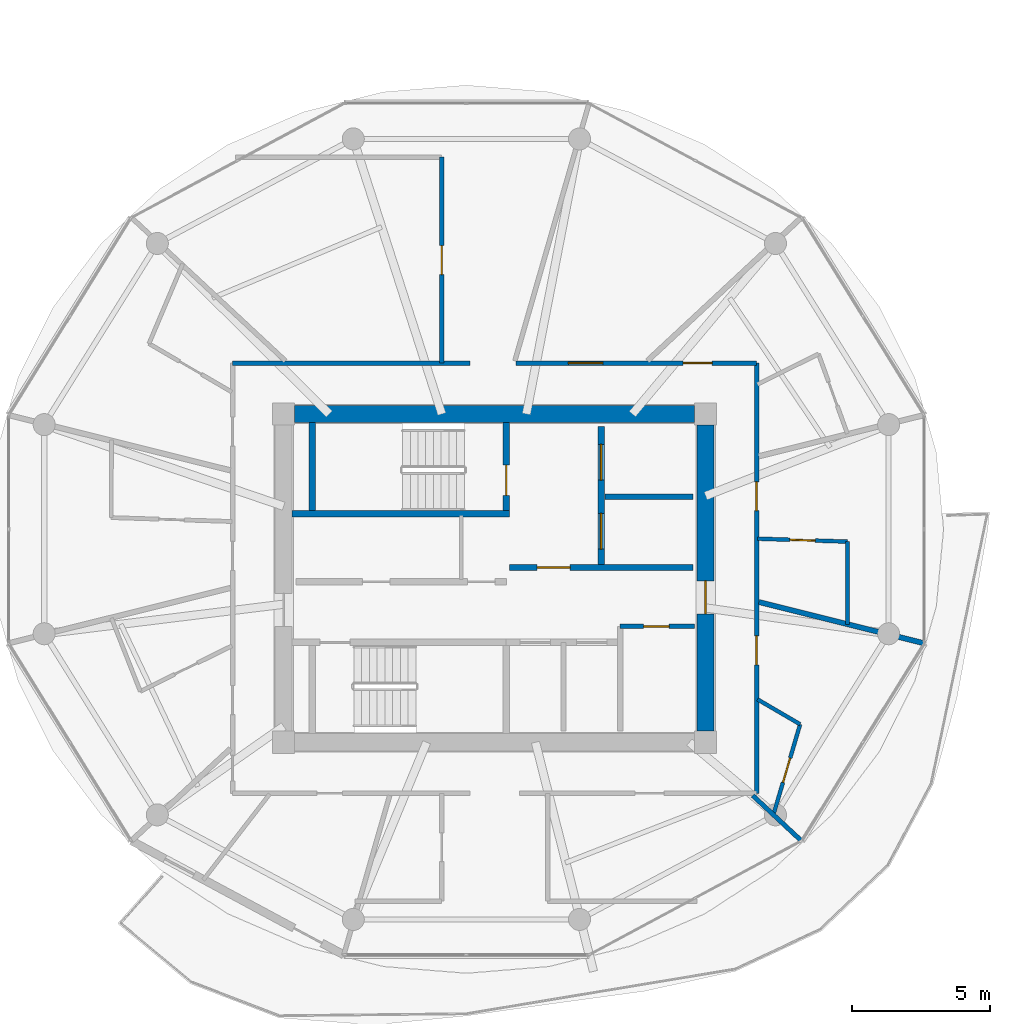
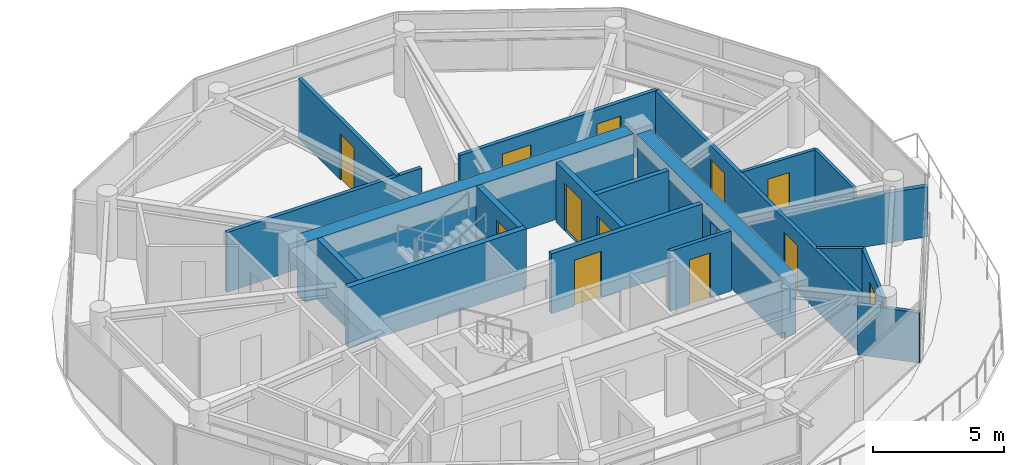
# One storey, part 17 of 24: 19 walls, 13 doors, 13 openings.
"""IFC4 building model written with IfcOpenShell, lengths in metres."""

from ifc_helpers import new_model, si_unit, direction, frame, frame_2d, origin, place, context, subcontext, project, spatial, rectangle, extrude, source, transform, mapped, material, layer, layer_set, type_object, type_shapes, element, fill, save


model = new_model("IFC4")

# Units and contexts
model_context = context("Model", 3, precision=1e-05, world=origin(), true_north=direction((0.0, 1.0)))
body_context = subcontext(model_context, "Body", "Model", "MODEL_VIEW")
ifc_project = project(units=[si_unit("LENGTHUNIT", "METRE"), si_unit("AREAUNIT", "SQUARE_METRE"), si_unit("VOLUMEUNIT", "CUBIC_METRE"), si_unit("PLANEANGLEUNIT", "RADIAN"), si_unit("MASSUNIT", "GRAM", prefix="KILO")], contexts=[model_context])

# Site, building, storey
site_placement = place(None, origin())
site = spatial("IfcSite", under=ifc_project, at=site_placement, CompositionType="ELEMENT")
building_placement = place(site_placement, origin())
building = spatial("IfcBuilding", under=site, at=building_placement, Name="Norrkilde Senior Care Towers", CompositionType="ELEMENT")
storey_placement = place(building_placement, frame((0.0, 0.0, 155.64990234375)))
storey = spatial("IfcBuildingStorey", under=building, at=storey_placement, Name="L48", CompositionType="ELEMENT", Elevation=155.64990234375)

# Wall
ifc_material_1 = material(Name="Concrete C50/60", Category="concrete")
ifc_layer_1 = layer(ifc_material_1, 0.6201171875)
ifc_layer_set_1 = layer_set([ifc_layer_1], Name="Concrete C50/60")
wall_type_1 = type_object("IfcWallType", Name="Core Shear Wall Z3 620", PredefinedType="SHEAR", material=ifc_layer_set_1)
shared_shape_1 = source(origin(), body_context, "Body", "SweptSolid", [
    extrude(rectangle(XDim=14.5, YDim=0.6201171875, at=frame_2d((7.25, 0.0))), origin(), (0.0, 0.0, 1.0), 2.81005859375),
])
wall_1_placement = place(storey_placement, frame((20.75, 5.949951171875, 0.0), z_axis=(0.0, 0.0, 1.0), x_axis=(1.0, 0.0, 0.0)))
element("IfcWall", 1, at=wall_1_placement, inside=storey, type_object=wall_type_1, Name="L48 Core E North Shear Wall", PredefinedType="SHEAR", context=body_context, shape_type="MappedRepresentation", body=[
    mapped(shared_shape_1, transform((0.0, 0.0, 0.0), x_axis=(1.0, 0.0, 0.0), y_axis=(0.0, 1.0, 0.0), z_axis=(0.0, 0.0, 1.0), scale=1.0)),
])

# Wall, opening, door
shared_shape_2 = source(origin(), body_context, "Body", "SweptSolid", [
    extrude(rectangle(XDim=11.10009765625, YDim=0.6201171875, at=frame_2d((5.550048828125, 0.0))), origin(), (0.0, 0.0, 1.0), 2.81005859375),
])
type_shapes(wall_type_1, [shared_shape_1, shared_shape_2])
wall_2_placement = place(storey_placement, frame((35.64990234375, 5.550048828125, 0.0), z_axis=(0.0, 0.0, 1.0), x_axis=(0.0, -1.0, 0.0)))
wall_2 = element("IfcWall", 2, at=wall_2_placement, inside=storey, type_object=wall_type_1, Name="L48 Core E East Shear Wall", PredefinedType="SHEAR", context=body_context, shape_type="MappedRepresentation", body=[
    mapped(shared_shape_2, transform((0.0, 0.0, 0.0), x_axis=(1.0, 0.0, 0.0), y_axis=(0.0, 1.0, 0.0), z_axis=(0.0, 0.0, 1.0), scale=1.0)),
])
opening_1_placement = place(wall_2_placement, frame((5.64990234375, 0.0, 0.0)))
opening_1 = element("IfcOpeningElement", 3, at=opening_1_placement, cuts=wall_2, Name="Opening D-04", PredefinedType="OPENING", context=body_context, shape_type="SweptSolid", body=[
    extrude(rectangle(XDim=1.199951171875, YDim=2.14990234375, at=frame_2d((0.60009765625, 1.074951171875))), frame((0.0, 0.320068359375, 0.0), z_axis=(0.0, -1.0, 0.0), x_axis=(1.0, 0.0, 0.0)), (0.0, 0.0, 1.0), 0.64013671875),
])
ifc_material_2 = material(Name="Galvanised Painted Steel", Category="steel")
door_type_1 = type_object("IfcDoorType", Name="Firefighting Lobby Fire Door 1200x2150", OperationType="NOTDEFINED", PredefinedType="DOOR", material=ifc_material_2)
shared_shape_3 = source(origin(), body_context, "Body", "SweptSolid", [
    extrude(rectangle(XDim=1.199951171875, YDim=2.14990234375, at=frame_2d((0.60009765625, 1.074951171875))), frame((0.0, 0.02490234375, 0.0), z_axis=(0.0, -1.0, 0.0), x_axis=(1.0, 0.0, 0.0)), (0.0, 0.0, 1.0), 0.050048828125),
])
type_shapes(door_type_1, [shared_shape_3])
door_1_placement = place(opening_1_placement, frame((1.199951171875, 0.0, 0.0), z_axis=(0.0, 0.0, 1.0), x_axis=(-1.0, 0.0, 0.0)))
door_1 = element("IfcDoor", 4, at=door_1_placement, inside=storey, type_object=door_type_1, Name="L48 Core E East Portal Door", OperationType="SINGLE_SWING_RIGHT", OverallHeight=2.14990234375, OverallWidth=1.199951171875, PredefinedType="DOOR", context=body_context, shape_type="MappedRepresentation", body=[
    mapped(shared_shape_3, transform((0.0, 0.0, 0.0), x_axis=(1.0, 0.0, 0.0), y_axis=(0.0, 1.0, 0.0), z_axis=(0.0, 0.0, 1.0), scale=1.0)),
])
fill(opening_1, door_1)

# Walls
ifc_material_3 = material(Name="Concrete C45/55", Category="concrete")
ifc_layer_2 = layer(ifc_material_3, 0.239990234375)
ifc_layer_set_2 = layer_set([ifc_layer_2], Name="Concrete C45/55")
wall_type_2 = type_object("IfcWallType", Name="Shaft and Stair Enclosure Wall 240", PredefinedType="PARTITIONING", material=ifc_layer_set_2)
shared_shape_4 = source(origin(), body_context, "Body", "SweptSolid", [
    extrude(rectangle(XDim=7.880126953125, YDim=0.239990234375, at=frame_2d((3.93994140625, 0.0))), origin(), (0.0, 0.0, 1.0), 2.81005859375),
])
wall_3_placement = place(storey_placement, frame((20.659912109375, 2.330078125, 0.0), z_axis=(0.0, 0.0, 1.0), x_axis=(1.0, 0.0, 0.0)))
element("IfcWall", 5, at=wall_3_placement, inside=storey, type_object=wall_type_2, Name="WL-INT-L48-E-ST1S", PredefinedType="PARTITIONING", context=body_context, shape_type="MappedRepresentation", body=[
    mapped(shared_shape_4, transform((0.0, 0.0, 0.0), x_axis=(1.0, 0.0, 0.0), y_axis=(0.0, 1.0, 0.0), z_axis=(0.0, 0.0, 1.0), scale=1.0)),
])
shared_shape_5 = source(origin(), body_context, "Body", "SweptSolid", [
    extrude(rectangle(XDim=3.18994140625, YDim=0.239990234375, at=frame_2d((1.594970703125, 0.0))), origin(), (0.0, 0.0, 1.0), 2.81005859375),
])
type_shapes(wall_type_2, [shared_shape_4, shared_shape_5])
wall_4_placement = place(storey_placement, frame((21.3798828125, 2.449951171875, 0.0), z_axis=(0.0, 0.0, 1.0), x_axis=(0.0, 1.0, 0.0)))
element("IfcWall", 6, at=wall_4_placement, inside=storey, type_object=wall_type_2, Name="WL-INT-L48-E-ST1W", PredefinedType="PARTITIONING", context=body_context, shape_type="MappedRepresentation", body=[
    mapped(shared_shape_5, transform((0.0, 0.0, 0.0), x_axis=(1.0, 0.0, 0.0), y_axis=(0.0, 1.0, 0.0), z_axis=(0.0, 0.0, 1.0), scale=1.0)),
])

# Wall, opening, door
wall_5_placement = place(storey_placement, frame((28.419921875, 2.449951171875, 0.0), z_axis=(0.0, 0.0, 1.0), x_axis=(0.0, 1.0, 0.0)))
wall_5 = element("IfcWall", 7, at=wall_5_placement, inside=storey, type_object=wall_type_2, Name="WL-INT-L48-E-ST1E", PredefinedType="PARTITIONING", context=body_context, shape_type="MappedRepresentation", body=[
    mapped(shared_shape_5, transform((0.0, 0.0, 0.0), x_axis=(1.0, 0.0, 0.0), y_axis=(0.0, 1.0, 0.0), z_axis=(0.0, 0.0, 1.0), scale=1.0)),
])
opening_2_placement = place(wall_5_placement, frame((0.550048828125, 0.0, 0.0)))
opening_2 = element("IfcOpeningElement", 8, at=opening_2_placement, cuts=wall_5, Name="Opening D-03", PredefinedType="OPENING", context=body_context, shape_type="SweptSolid", body=[
    extrude(rectangle(XDim=1.10009765625, YDim=2.14990234375, at=frame_2d((0.550048828125, 1.074951171875))), frame((0.0, 0.1298828125, 0.0), z_axis=(0.0, -1.0, 0.0), x_axis=(1.0, 0.0, 0.0)), (0.0, 0.0, 1.0), 0.260009765625),
])
door_type_2 = type_object("IfcDoorType", Name="Stairwell Protected Fire Door 1100x2150", OperationType="NOTDEFINED", PredefinedType="DOOR", material=ifc_material_2)
shared_shape_6 = source(origin(), body_context, "Body", "SweptSolid", [
    extrude(rectangle(XDim=1.10009765625, YDim=2.14990234375, at=frame_2d((0.550048828125, 1.074951171875))), frame((0.0, 0.02490234375, 0.0), z_axis=(0.0, -1.0, 0.0), x_axis=(1.0, 0.0, 0.0)), (0.0, 0.0, 1.0), 0.050048828125),
])
type_shapes(door_type_2, [shared_shape_6])
door_2_placement = place(opening_2_placement, origin())
door_2 = element("IfcDoor", 9, at=door_2_placement, inside=storey, type_object=door_type_2, Name="L48 Stair E1 Fire Door", OperationType="SINGLE_SWING_LEFT", OverallHeight=2.14990234375, OverallWidth=1.10009765625, PredefinedType="DOOR", context=body_context, shape_type="MappedRepresentation", body=[
    mapped(shared_shape_6, transform((0.0, 0.0, 0.0), x_axis=(1.0, 0.0, 0.0), y_axis=(0.0, 1.0, 0.0), z_axis=(0.0, 0.0, 1.0), scale=1.0)),
])
fill(opening_2, door_2)

# Wall, openings, doors
ifc_layer_3 = layer(ifc_material_3, 0.239990234375)
ifc_layer_set_3 = layer_set([ifc_layer_3], Name="Concrete C45/55")
wall_type_3 = type_object("IfcWallType", Name="Lift and Plant Rated Enclosure Partition 240", PredefinedType="PARTITIONING", material=ifc_layer_set_3)
shared_shape_7 = source(origin(), body_context, "Body", "SweptSolid", [
    extrude(rectangle(XDim=5.0, YDim=0.239990234375, at=frame_2d((2.5, 0.0))), origin(), (0.0, 0.0, 1.0), 2.795166015625),
])
type_shapes(wall_type_3, [shared_shape_7])
wall_6_placement = place(storey_placement, frame((31.860107421875, 0.5, 0.0), z_axis=(0.0, 0.0, 1.0), x_axis=(0.0, 1.0, 0.0)))
wall_6 = element("IfcWall", 10, at=wall_6_placement, inside=storey, type_object=wall_type_3, Name="WL-INT-L48-E-FFLE", PredefinedType="PARTITIONING", context=body_context, shape_type="MappedRepresentation", body=[
    mapped(shared_shape_7, transform((0.0, 0.0, 0.0), x_axis=(1.0, 0.0, 0.0), y_axis=(0.0, 1.0, 0.0), z_axis=(0.0, 0.0, 1.0), scale=1.0)),
])
opening_3_placement = place(wall_6_placement, frame((3.050048828125, 0.0, 0.0)))
opening_3 = element("IfcOpeningElement", 11, at=opening_3_placement, cuts=wall_6, Name="Opening LD-02", PredefinedType="OPENING", context=body_context, shape_type="SweptSolid", body=[
    extrude(rectangle(XDim=1.300048828125, YDim=2.199951171875, at=frame_2d((0.64990234375, 1.10009765625))), frame((0.0, 0.1298828125, 0.0), z_axis=(0.0, -1.0, 0.0), x_axis=(1.0, 0.0, 0.0)), (0.0, 0.0, 1.0), 0.260009765625),
])
opening_4_placement = place(wall_6_placement, frame((0.550048828125, 0.0, 0.0)))
opening_4 = element("IfcOpeningElement", 12, at=opening_4_placement, cuts=wall_6, Name="Opening LD-02", PredefinedType="OPENING", context=body_context, shape_type="SweptSolid", body=[
    extrude(rectangle(XDim=1.300048828125, YDim=2.199951171875, at=frame_2d((0.64990234375, 1.10009765625))), frame((0.0, 0.1298828125, 0.0), z_axis=(0.0, -1.0, 0.0), x_axis=(1.0, 0.0, 0.0)), (0.0, 0.0, 1.0), 0.260009765625),
])
ifc_material_4 = material(Name="Stainless Steel", Category="steel")
door_type_3 = type_object("IfcDoorType", Name="Stretcher and FFL Landing Sliding Door 1300x2200", OperationType="NOTDEFINED", PredefinedType="DOOR", material=ifc_material_4)
shared_shape_8 = source(origin(), body_context, "Body", "SweptSolid", [
    extrude(rectangle(XDim=1.300048828125, YDim=2.199951171875, at=frame_2d((0.64990234375, 1.10009765625))), frame((0.0, 0.02490234375, 0.0), z_axis=(0.0, -1.0, 0.0), x_axis=(1.0, 0.0, 0.0)), (0.0, 0.0, 1.0), 0.050048828125),
])
type_shapes(door_type_3, [shared_shape_8])
door_3_placement = place(opening_3_placement, origin())
door_3 = element("IfcDoor", 13, at=door_3_placement, inside=storey, type_object=door_type_3, Name="L48 Firefighting Lift E1 Landing Door", OperationType="SLIDING_TO_LEFT", OverallHeight=2.199951171875, OverallWidth=1.300048828125, PredefinedType="DOOR", context=body_context, shape_type="MappedRepresentation", body=[
    mapped(shared_shape_8, transform((0.0, 0.0, 0.0), x_axis=(1.0, 0.0, 0.0), y_axis=(0.0, 1.0, 0.0), z_axis=(0.0, 0.0, 1.0), scale=1.0)),
])
fill(opening_3, door_3)
door_4_placement = place(opening_4_placement, origin())
door_4 = element("IfcDoor", 14, at=door_4_placement, inside=storey, type_object=door_type_3, Name="L48 Stretcher Lift E1 Landing Door", OperationType="SLIDING_TO_RIGHT", OverallHeight=2.199951171875, OverallWidth=1.300048828125, PredefinedType="DOOR", context=body_context, shape_type="MappedRepresentation", body=[
    mapped(shared_shape_8, transform((0.0, 0.0, 0.0), x_axis=(1.0, 0.0, 0.0), y_axis=(0.0, 1.0, 0.0), z_axis=(0.0, 0.0, 1.0), scale=1.0)),
])
fill(opening_4, door_4)

# Wall
ifc_layer_4 = layer(ifc_material_3, 0.199951171875)
ifc_layer_set_4 = layer_set([ifc_layer_4], Name="Concrete C45/55")
wall_type_4 = type_object("IfcWallType", Name="Shaft Division and Plant Partition 200", PredefinedType="PARTITIONING", material=ifc_layer_set_4)
shared_shape_9 = source(origin(), body_context, "Body", "SweptSolid", [
    extrude(rectangle(XDim=3.199951171875, YDim=0.199951171875, at=frame_2d((1.60009765625, 0.0))), origin(), (0.0, 0.0, 1.0), 2.795166015625),
])
type_shapes(wall_type_4, [shared_shape_9])
wall_7_placement = place(storey_placement, frame((32.0, 2.949951171875, 0.0), z_axis=(0.0, 0.0, 1.0), x_axis=(1.0, 0.0, 0.0)))
element("IfcWall", 15, at=wall_7_placement, inside=storey, type_object=wall_type_4, Name="WL-INT-L48-E-FFLDIV", PredefinedType="PARTITIONING", context=body_context, shape_type="MappedRepresentation", body=[
    mapped(shared_shape_9, transform((0.0, 0.0, 0.0), x_axis=(1.0, 0.0, 0.0), y_axis=(0.0, 1.0, 0.0), z_axis=(0.0, 0.0, 1.0), scale=1.0)),
])

# Wall, opening, door
ifc_layer_5 = layer(ifc_material_3, 0.2099609375)
ifc_layer_set_5 = layer_set([ifc_layer_5], Name="Concrete C45/55")
wall_type_5 = type_object("IfcWallType", Name="Firefighting Lobby Wall 210", PredefinedType="PARTITIONING", material=ifc_layer_set_5)
shared_shape_10 = source(origin(), body_context, "Body", "SweptSolid", [
    extrude(rectangle(XDim=6.659912109375, YDim=0.2099609375, at=frame_2d((3.330078125, 0.0))), origin(), (0.0, 0.0, 1.0), 2.795166015625),
])
type_shapes(wall_type_5, [shared_shape_10])
wall_8_placement = place(storey_placement, frame((28.5400390625, 0.389892578125, 0.0), z_axis=(0.0, 0.0, 1.0), x_axis=(1.0, 0.0, 0.0)))
wall_8 = element("IfcWall", 16, at=wall_8_placement, inside=storey, type_object=wall_type_5, Name="WL-INT-L48-E-FFLS", PredefinedType="PARTITIONING", context=body_context, shape_type="MappedRepresentation", body=[
    mapped(shared_shape_10, transform((0.0, 0.0, 0.0), x_axis=(1.0, 0.0, 0.0), y_axis=(0.0, 1.0, 0.0), z_axis=(0.0, 0.0, 1.0), scale=1.0)),
])
opening_5_placement = place(wall_8_placement, frame((1.0, 0.0, 0.0)))
opening_5 = element("IfcOpeningElement", 17, at=opening_5_placement, cuts=wall_8, Name="Opening D-04", PredefinedType="OPENING", context=body_context, shape_type="SweptSolid", body=[
    extrude(rectangle(XDim=1.199951171875, YDim=2.14990234375, at=frame_2d((0.60009765625, 1.074951171875))), frame((0.0, 0.114990234375, 0.0), z_axis=(0.0, -1.0, 0.0), x_axis=(1.0, 0.0, 0.0)), (0.0, 0.0, 1.0), 0.22998046875),
])
door_5_placement = place(opening_5_placement, frame((1.199951171875, 0.0, 0.0), z_axis=(0.0, 0.0, 1.0), x_axis=(-1.0, 0.0, 0.0)))
door_5 = element("IfcDoor", 18, at=door_5_placement, inside=storey, type_object=door_type_1, Name="L48 Firefighting Lobby E Door", OperationType="SINGLE_SWING_LEFT", OverallHeight=2.14990234375, OverallWidth=1.199951171875, PredefinedType="DOOR", context=body_context, shape_type="MappedRepresentation", body=[
    mapped(shared_shape_3, transform((0.0, 0.0, 0.0), x_axis=(1.0, 0.0, 0.0), y_axis=(0.0, 1.0, 0.0), z_axis=(0.0, 0.0, 1.0), scale=1.0)),
])
fill(opening_5, door_5)

ifc_material_5 = material(Name="Gypsum Acoustic Board")
ifc_layer_6 = layer(ifc_material_5, 0.1650390625)
ifc_layer_set_6 = layer_set([ifc_layer_6], Name="Gypsum Acoustic Board")
wall_type_6 = type_object("IfcWallType", Name="Corridor Rated Partition 165", PredefinedType="PARTITIONING", material=ifc_layer_set_6)
shared_shape_11 = source(origin(), body_context, "Body", "SweptSolid", [
    extrude(rectangle(XDim=2.699951171875, YDim=0.1650390625, at=frame_2d((1.35009765625, 0.0))), origin(), (0.0, 0.0, 1.0), 2.795166015625),
])
wall_9_placement = place(storey_placement, frame((32.550048828125, -1.75, 0.0), z_axis=(0.0, 0.0, 1.0), x_axis=(1.0, 0.0, 0.0)))
wall_9 = element("IfcWall", 19, at=wall_9_placement, inside=storey, type_object=wall_type_6, Name="WL-INT-L48-E-CSN", PredefinedType="PARTITIONING", context=body_context, shape_type="MappedRepresentation", body=[
    mapped(shared_shape_11, transform((0.0, 0.0, 0.0), x_axis=(1.0, 0.0, 0.0), y_axis=(0.0, 1.0, 0.0), z_axis=(0.0, 0.0, 1.0), scale=1.0)),
])
opening_6_placement = place(wall_9_placement, frame((0.85009765625, 0.0, 0.0)))
opening_6 = element("IfcOpeningElement", 20, at=opening_6_placement, cuts=wall_9, Name="Opening D-12", PredefinedType="OPENING", context=body_context, shape_type="SweptSolid", body=[
    extrude(rectangle(XDim=0.925048828125, YDim=2.10009765625, at=frame_2d((0.46240234375, 1.050048828125))), frame((0.0, 0.092529296875, 0.0), z_axis=(0.0, -1.0, 0.0), x_axis=(1.0, 0.0, 0.0)), (0.0, 0.0, 1.0), 0.18505859375),
])
door_type_4 = type_object("IfcDoorType", Name="Core Wet Room Rated Door 925x2100", OperationType="NOTDEFINED", PredefinedType="DOOR", material=ifc_material_2)
shared_shape_12 = source(origin(), body_context, "Body", "SweptSolid", [
    extrude(rectangle(XDim=0.925048828125, YDim=2.10009765625, at=frame_2d((0.46240234375, 1.050048828125))), frame((0.0, 0.02490234375, 0.0), z_axis=(0.0, -1.0, 0.0), x_axis=(1.0, 0.0, 0.0)), (0.0, 0.0, 1.0), 0.050048828125),
])
type_shapes(door_type_4, [shared_shape_12])
door_6_placement = place(opening_6_placement, origin())
door_6 = element("IfcDoor", 21, at=door_6_placement, inside=storey, type_object=door_type_4, Name="L48 Core Utility E Door", OperationType="SINGLE_SWING_LEFT", OverallHeight=2.10009765625, OverallWidth=0.925048828125, PredefinedType="DOOR", context=body_context, shape_type="MappedRepresentation", body=[
    mapped(shared_shape_12, transform((0.0, 0.0, 0.0), x_axis=(1.0, 0.0, 0.0), y_axis=(0.0, 1.0, 0.0), z_axis=(0.0, 0.0, 1.0), scale=1.0)),
])
fill(opening_6, door_6)

# Wall
shared_shape_13 = source(origin(), body_context, "Body", "SweptSolid", [
    extrude(rectangle(XDim=8.60009765625, YDim=0.1650390625, at=frame_2d((4.300048828125, 0.0))), origin(), (0.0, 0.0, 1.0), 2.795166015625),
])
wall_10_placement = place(storey_placement, frame((18.5, 7.800048828125, 0.0), z_axis=(0.0, 0.0, 1.0), x_axis=(1.0, 0.0, 0.0)))
element("IfcWall", 22, at=wall_10_placement, inside=storey, type_object=wall_type_6, Name="WL-INT-L48-E-CRW-N-0", PredefinedType="PARTITIONING", context=body_context, shape_type="MappedRepresentation", body=[
    mapped(shared_shape_13, transform((0.0, 0.0, 0.0), x_axis=(1.0, 0.0, 0.0), y_axis=(0.0, 1.0, 0.0), z_axis=(0.0, 0.0, 1.0), scale=1.0)),
])

# Wall, openings, doors
shared_shape_14 = source(origin(), body_context, "Body", "SweptSolid", [
    extrude(rectangle(XDim=15.60009765625, YDim=0.1650390625, at=frame_2d((7.800048828125, 0.0))), origin(), (0.0, 0.0, 1.0), 2.795166015625),
])
wall_11_placement = place(storey_placement, frame((37.5, 7.800048828125, 0.0), z_axis=(0.0, 0.0, 1.0), x_axis=(0.0, -1.0, 0.0)))
wall_11 = element("IfcWall", 23, at=wall_11_placement, inside=storey, type_object=wall_type_6, Name="WL-INT-L48-E-CRW-E-0", PredefinedType="PARTITIONING", context=body_context, shape_type="MappedRepresentation", body=[
    mapped(shared_shape_14, transform((0.0, 0.0, 0.0), x_axis=(1.0, 0.0, 0.0), y_axis=(0.0, 1.0, 0.0), z_axis=(0.0, 0.0, 1.0), scale=1.0)),
])
opening_7_placement = place(wall_11_placement, frame((9.896484375, 0.0, 0.0)))
opening_7 = element("IfcOpeningElement", 24, at=opening_7_placement, cuts=wall_11, Name="Opening D-06", PredefinedType="OPENING", context=body_context, shape_type="SweptSolid", body=[
    extrude(rectangle(XDim=1.050048828125, YDim=2.14990234375, at=frame_2d((0.52490234375, 1.074951171875))), frame((0.0, 0.092529296875, 0.0), z_axis=(0.0, -1.0, 0.0), x_axis=(1.0, 0.0, 0.0)), (0.0, 0.0, 1.0), 0.18505859375),
])
opening_8_placement = place(wall_11_placement, frame((4.306396484375, 0.0, 0.0)))
opening_8 = element("IfcOpeningElement", 25, at=opening_8_placement, cuts=wall_11, Name="Opening D-06", PredefinedType="OPENING", context=body_context, shape_type="SweptSolid", body=[
    extrude(rectangle(XDim=1.050048828125, YDim=2.14990234375, at=frame_2d((0.52490234375, 1.074951171875))), frame((0.0, 0.092529296875, 0.0), z_axis=(0.0, -1.0, 0.0), x_axis=(1.0, 0.0, 0.0)), (0.0, 0.0, 1.0), 0.18505859375),
])
ifc_material_6 = material(Name="Nordic Ash Timber", Category="wood")
door_type_5 = type_object("IfcDoorType", Name="Apartment Entrance Fire Door 1050x2150", OperationType="NOTDEFINED", PredefinedType="DOOR", material=ifc_material_6)
shared_shape_15 = source(origin(), body_context, "Body", "SweptSolid", [
    extrude(rectangle(XDim=1.050048828125, YDim=2.14990234375, at=frame_2d((0.52490234375, 1.074951171875))), frame((0.0, 0.02490234375, 0.0), z_axis=(0.0, -1.0, 0.0), x_axis=(1.0, 0.0, 0.0)), (0.0, 0.0, 1.0), 0.050048828125),
])
type_shapes(door_type_5, [shared_shape_15])
door_7_placement = place(opening_7_placement, frame((1.050048828125, 0.0, 0.0), z_axis=(0.0, 0.0, 1.0), x_axis=(-1.0, 0.0, 0.0)))
door_7 = element("IfcDoor", 26, at=door_7_placement, inside=storey, type_object=door_type_5, Name="L48 Studio 48E Entrance Door", OperationType="SINGLE_SWING_LEFT", OverallHeight=2.14990234375, OverallWidth=1.050048828125, PredefinedType="DOOR", context=body_context, shape_type="MappedRepresentation", body=[
    mapped(shared_shape_15, transform((0.0, 0.0, 0.0), x_axis=(1.0, 0.0, 0.0), y_axis=(0.0, 1.0, 0.0), z_axis=(0.0, 0.0, 1.0), scale=1.0)),
])
fill(opening_7, door_7)
door_8_placement = place(opening_8_placement, frame((1.050048828125, 0.0, 0.0), z_axis=(0.0, 0.0, 1.0), x_axis=(-1.0, 0.0, 0.0)))
door_8 = element("IfcDoor", 27, at=door_8_placement, inside=storey, type_object=door_type_5, Name="L48 Studio 48F Entrance Door", OperationType="SINGLE_SWING_RIGHT", OverallHeight=2.14990234375, OverallWidth=1.050048828125, PredefinedType="DOOR", context=body_context, shape_type="MappedRepresentation", body=[
    mapped(shared_shape_15, transform((0.0, 0.0, 0.0), x_axis=(1.0, 0.0, 0.0), y_axis=(0.0, 1.0, 0.0), z_axis=(0.0, 0.0, 1.0), scale=1.0)),
])
fill(opening_8, door_8)

# Wall
ifc_layer_7 = layer(ifc_material_5, 0.18994140625)
ifc_layer_set_7 = layer_set([ifc_layer_7], Name="Gypsum Acoustic Board")
wall_type_7 = type_object("IfcWallType", Name="Unit Demising Acoustic Wall 190", PredefinedType="PARTITIONING", material=ifc_layer_set_7)
shared_shape_16 = source(origin(), body_context, "Body", "SweptSolid", [
    extrude(rectangle(XDim=6.192626953125, YDim=0.18994140625, at=frame_2d((3.09619140625, 0.0))), origin(), (0.0, 0.0, 1.0), 2.34521484375),
])
type_shapes(wall_type_7, [shared_shape_16])
wall_12_placement = place(storey_placement, frame((37.580078125, -0.867919921875, 0.0), z_axis=(0.0, 0.0, 1.0), x_axis=(0.970309243466, -0.241867674657, 0.0)))
element("IfcWall", 28, at=wall_12_placement, inside=storey, type_object=wall_type_7, Name="WL-INT-L48-E-DEM-11-0", PredefinedType="PARTITIONING", context=body_context, shape_type="MappedRepresentation", body=[
    mapped(shared_shape_16, transform((0.0, 0.0, 0.0), x_axis=(1.0, 0.0, 0.0), y_axis=(0.0, 1.0, 0.0), z_axis=(0.0, 0.0, 1.0), scale=1.0)),
])

# Wall, openings, doors
shared_shape_17 = source(origin(), body_context, "Body", "SweptSolid", [
    extrude(rectangle(XDim=8.719482421875, YDim=0.1650390625, at=frame_2d((4.35986328125, 0.0))), origin(), (0.0, 0.0, 1.0), 2.795166015625),
])
wall_13_placement = place(storey_placement, frame((28.780517578125, 7.800048828125, 0.0), z_axis=(0.0, 0.0, 1.0), x_axis=(1.0, 0.0, 0.0)))
wall_13 = element("IfcWall", 29, at=wall_13_placement, inside=storey, type_object=wall_type_6, Name="WL-INT-L48-E-CRW-N-1", PredefinedType="PARTITIONING", context=body_context, shape_type="MappedRepresentation", body=[
    mapped(shared_shape_17, transform((0.0, 0.0, 0.0), x_axis=(1.0, 0.0, 0.0), y_axis=(0.0, 1.0, 0.0), z_axis=(0.0, 0.0, 1.0), scale=1.0)),
])
opening_9_placement = place(wall_13_placement, frame((6.054443359375, 0.0, 0.0)))
opening_9 = element("IfcOpeningElement", 30, at=opening_9_placement, cuts=wall_13, Name="Opening D-06", PredefinedType="OPENING", context=body_context, shape_type="SweptSolid", body=[
    extrude(rectangle(XDim=1.050048828125, YDim=2.14990234375, at=frame_2d((0.52490234375, 1.074951171875))), frame((0.0, 0.092529296875, 0.0), z_axis=(0.0, -1.0, 0.0), x_axis=(1.0, 0.0, 0.0)), (0.0, 0.0, 1.0), 0.18505859375),
])
opening_10_placement = place(wall_13_placement, frame((1.890869140625, 0.0, 0.0)))
opening_10 = element("IfcOpeningElement", 31, at=opening_10_placement, cuts=wall_13, Name="Opening D-05", PredefinedType="OPENING", context=body_context, shape_type="SweptSolid", body=[
    extrude(rectangle(XDim=1.25, YDim=2.199951171875, at=frame_2d((0.625, 1.10009765625))), frame((0.0, 0.092529296875, 0.0), z_axis=(0.0, -1.0, 0.0), x_axis=(1.0, 0.0, 0.0)), (0.0, 0.0, 1.0), 0.18505859375),
])
door_type_6 = type_object("IfcDoorType", Name="Care Bedroom Bariatric Door 1250x2200", OperationType="NOTDEFINED", PredefinedType="DOOR", material=ifc_material_6)
shared_shape_18 = source(origin(), body_context, "Body", "SweptSolid", [
    extrude(rectangle(XDim=1.25, YDim=2.199951171875, at=frame_2d((0.625, 1.10009765625))), frame((0.0, 0.02490234375, 0.0), z_axis=(0.0, -1.0, 0.0), x_axis=(1.0, 0.0, 0.0)), (0.0, 0.0, 1.0), 0.050048828125),
])
type_shapes(door_type_6, [shared_shape_18])
door_9_placement = place(opening_10_placement, frame((1.25, 0.0, 0.0), z_axis=(0.0, 0.0, 1.0), x_axis=(-1.0, 0.0, 0.0)))
door_9 = element("IfcDoor", 32, at=door_9_placement, inside=storey, type_object=door_type_6, Name="L48 Senior Wellness Library Lounge Door", OperationType="SINGLE_SWING_RIGHT", OverallHeight=2.199951171875, OverallWidth=1.25, PredefinedType="DOOR", context=body_context, shape_type="MappedRepresentation", body=[
    mapped(shared_shape_18, transform((0.0, 0.0, 0.0), x_axis=(1.0, 0.0, 0.0), y_axis=(0.0, 1.0, 0.0), z_axis=(0.0, 0.0, 1.0), scale=1.0)),
])
fill(opening_10, door_9)
door_10_placement = place(opening_9_placement, frame((1.050048828125, 0.0, 0.0), z_axis=(0.0, 0.0, 1.0), x_axis=(-1.0, 0.0, 0.0)))
door_10 = element("IfcDoor", 33, at=door_10_placement, inside=storey, type_object=door_type_5, Name="L48 Studio 48G Entrance Door", OperationType="SINGLE_SWING_LEFT", OverallHeight=2.14990234375, OverallWidth=1.050048828125, PredefinedType="DOOR", context=body_context, shape_type="MappedRepresentation", body=[
    mapped(shared_shape_15, transform((0.0, 0.0, 0.0), x_axis=(1.0, 0.0, 0.0), y_axis=(0.0, 1.0, 0.0), z_axis=(0.0, 0.0, 1.0), scale=1.0)),
])
fill(opening_9, door_10)

# Wall
shared_shape_19 = source(origin(), body_context, "Body", "SweptSolid", [
    extrude(rectangle(XDim=2.434814453125, YDim=0.1650390625, at=frame_2d((1.21728515625, 0.0))), origin(), (0.0, 0.0, 1.0), 2.34521484375),
])
wall_14_placement = place(storey_placement, frame((37.3544921875, -7.8798828125, 0.0), z_axis=(0.0, 0.0, 1.0), x_axis=(0.732164643118, -0.681127693878, 0.0)))
element("IfcWall", 34, at=wall_14_placement, inside=storey, type_object=wall_type_6, Name="WL-INT-L48-E-DEM-10-0", PredefinedType="PARTITIONING", context=body_context, shape_type="MappedRepresentation", body=[
    mapped(shared_shape_19, transform((0.0, 0.0, 0.0), x_axis=(1.0, 0.0, 0.0), y_axis=(0.0, 1.0, 0.0), z_axis=(0.0, 0.0, 1.0), scale=1.0)),
])

# Wall, opening, door
shared_shape_20 = source(origin(), body_context, "Body", "SweptSolid", [
    extrude(rectangle(XDim=7.46533203125, YDim=0.1650390625, at=frame_2d((3.732666015625, 0.0))), origin(), (0.0, 0.0, 1.0), 2.795166015625),
])
type_shapes(wall_type_6, [shared_shape_11, shared_shape_13, shared_shape_14, shared_shape_17, shared_shape_19, shared_shape_20])
wall_15_placement = place(storey_placement, frame((26.080078125, 7.800048828125, 0.0), z_axis=(0.0, 0.0, 1.0), x_axis=(0.0, 1.0, 0.0)))
wall_15 = element("IfcWall", 35, at=wall_15_placement, inside=storey, type_object=wall_type_6, Name="WL-INT-L48-E-PKW-NWL", PredefinedType="PARTITIONING", context=body_context, shape_type="MappedRepresentation", body=[
    mapped(shared_shape_20, transform((0.0, 0.0, 0.0), x_axis=(1.0, 0.0, 0.0), y_axis=(0.0, 1.0, 0.0), z_axis=(0.0, 0.0, 1.0), scale=1.0)),
])
opening_11_placement = place(wall_15_placement, frame((3.207763671875, 0.0, 0.0)))
opening_11 = element("IfcOpeningElement", 36, at=opening_11_placement, cuts=wall_15, Name="Opening D-06", PredefinedType="OPENING", context=body_context, shape_type="SweptSolid", body=[
    extrude(rectangle(XDim=1.050048828125, YDim=2.14990234375, at=frame_2d((0.52490234375, 1.074951171875))), frame((0.0, 0.092529296875, 0.0), z_axis=(0.0, -1.0, 0.0), x_axis=(1.0, 0.0, 0.0)), (0.0, 0.0, 1.0), 0.18505859375),
])
door_11_placement = place(opening_11_placement, frame((1.050048828125, 0.0, 0.0), z_axis=(0.0, 0.0, 1.0), x_axis=(-1.0, 0.0, 0.0)))
door_11 = element("IfcDoor", 37, at=door_11_placement, inside=storey, type_object=door_type_5, Name="L48 Reading Lounge NWL Door", OperationType="SINGLE_SWING_RIGHT", OverallHeight=2.14990234375, OverallWidth=1.050048828125, PredefinedType="DOOR", context=body_context, shape_type="MappedRepresentation", body=[
    mapped(shared_shape_15, transform((0.0, 0.0, 0.0), x_axis=(1.0, 0.0, 0.0), y_axis=(0.0, 1.0, 0.0), z_axis=(0.0, 0.0, 1.0), scale=1.0)),
])
fill(opening_11, door_11)

ifc_layer_8 = layer(ifc_material_5, 0.139892578125)
ifc_layer_set_8 = layer_set([ifc_layer_8], Name="Gypsum Acoustic Board")
wall_type_8 = type_object("IfcWallType", Name="En-suite Wet Room Wall 140", PredefinedType="PARTITIONING", material=ifc_layer_set_8)
shared_shape_21 = source(origin(), body_context, "Body", "SweptSolid", [
    extrude(rectangle(XDim=3.269287109375, YDim=0.139892578125, at=frame_2d((1.634765625, 0.0))), origin(), (0.0, 0.0, 1.0), 2.795166015625),
])
wall_16_placement = place(storey_placement, frame((37.530029296875, 1.430419921875, 0.0), z_axis=(0.0, 0.0, 1.0), x_axis=(0.999467384322, -0.032633536084, 0.0)))
wall_16 = element("IfcWall", 38, at=wall_16_placement, inside=storey, type_object=wall_type_8, Name="WL-INT-L48-E-ES-11", PredefinedType="PARTITIONING", context=body_context, shape_type="MappedRepresentation", body=[
    mapped(shared_shape_21, transform((0.0, 0.0, 0.0), x_axis=(1.0, 0.0, 0.0), y_axis=(0.0, 1.0, 0.0), z_axis=(0.0, 0.0, 1.0), scale=1.0)),
])
opening_12_placement = place(wall_16_placement, frame((1.174560546875, 0.0, 0.0)))
opening_12 = element("IfcOpeningElement", 39, at=opening_12_placement, cuts=wall_16, Name="Opening D-08", PredefinedType="OPENING", context=body_context, shape_type="SweptSolid", body=[
    extrude(rectangle(XDim=0.919921875, YDim=2.10009765625, at=frame_2d((0.4599609375, 1.050048828125))), frame((0.0, 0.079833984375, 0.0), z_axis=(0.0, -1.0, 0.0), x_axis=(1.0, 0.0, 0.0)), (0.0, 0.0, 1.0), 0.159912109375),
])
door_type_7 = type_object("IfcDoorType", Name="Accessible Wet Room Door 920x2100", OperationType="NOTDEFINED", PredefinedType="DOOR", material=ifc_material_6)
shared_shape_22 = source(origin(), body_context, "Body", "SweptSolid", [
    extrude(rectangle(XDim=0.919921875, YDim=2.10009765625, at=frame_2d((0.4599609375, 1.050048828125))), frame((0.0, 0.02490234375, 0.0), z_axis=(0.0, -1.0, 0.0), x_axis=(1.0, 0.0, 0.0)), (0.0, 0.0, 1.0), 0.050048828125),
])
type_shapes(door_type_7, [shared_shape_22])
door_12_placement = place(opening_12_placement, origin())
door_12 = element("IfcDoor", 40, at=door_12_placement, inside=storey, type_object=door_type_7, Name="L48 Studio 48F Bathroom Door", OperationType="SINGLE_SWING_LEFT", OverallHeight=2.10009765625, OverallWidth=0.919921875, PredefinedType="DOOR", context=body_context, shape_type="MappedRepresentation", body=[
    mapped(shared_shape_22, transform((0.0, 0.0, 0.0), x_axis=(1.0, 0.0, 0.0), y_axis=(0.0, 1.0, 0.0), z_axis=(0.0, 0.0, 1.0), scale=1.0)),
])
fill(opening_12, door_12)

# Walls
shared_shape_23 = source(origin(), body_context, "Body", "SweptSolid", [
    extrude(rectangle(XDim=3.011962890625, YDim=0.139892578125, at=frame_2d((1.505859375, 0.0))), origin(), (0.0, 0.0, 1.0), 2.795166015625),
])
wall_17_placement = place(storey_placement, frame((40.797607421875, 1.32373046875, 0.0), z_axis=(0.0, 0.0, 1.0), x_axis=(-0.00226958968, -0.999997424478, 0.0)))
element("IfcWall", 41, at=wall_17_placement, inside=storey, type_object=wall_type_8, Name="WL-INT-L48-E-EF-11", PredefinedType="PARTITIONING", context=body_context, shape_type="MappedRepresentation", body=[
    mapped(shared_shape_23, transform((0.0, 0.0, 0.0), x_axis=(1.0, 0.0, 0.0), y_axis=(0.0, 1.0, 0.0), z_axis=(0.0, 0.0, 1.0), scale=1.0)),
])
shared_shape_24 = source(origin(), body_context, "Body", "SweptSolid", [
    extrude(rectangle(XDim=1.791259765625, YDim=0.139892578125, at=frame_2d((0.8955078125, 0.0))), origin(), (0.0, 0.0, 1.0), 2.795166015625),
])
wall_18_placement = place(storey_placement, frame((37.530029296875, -4.3955078125, 0.0), z_axis=(0.0, 0.0, 1.0), x_axis=(0.863294053295, -0.504701275553, 0.0)))
element("IfcWall", 42, at=wall_18_placement, inside=storey, type_object=wall_type_8, Name="WL-INT-L48-E-ES-10", PredefinedType="PARTITIONING", context=body_context, shape_type="MappedRepresentation", body=[
    mapped(shared_shape_24, transform((0.0, 0.0, 0.0), x_axis=(1.0, 0.0, 0.0), y_axis=(0.0, 1.0, 0.0), z_axis=(0.0, 0.0, 1.0), scale=1.0)),
])

# Wall, opening, door
shared_shape_25 = source(origin(), body_context, "Body", "SweptSolid", [
    extrude(rectangle(XDim=3.469970703125, YDim=0.139892578125, at=frame_2d((1.73486328125, 0.0))), origin(), (0.0, 0.0, 1.0), 2.795166015625),
])
type_shapes(wall_type_8, [shared_shape_21, shared_shape_23, shared_shape_24, shared_shape_25])
wall_19_placement = place(storey_placement, frame((39.076416015625, -5.299560546875, 0.0), z_axis=(0.0, 0.0, 1.0), x_axis=(-0.283194656898, -0.959062451723, 0.0)))
wall_19 = element("IfcWall", 43, at=wall_19_placement, inside=storey, type_object=wall_type_8, Name="WL-INT-L48-E-EF-10", PredefinedType="PARTITIONING", context=body_context, shape_type="MappedRepresentation", body=[
    mapped(shared_shape_25, transform((0.0, 0.0, 0.0), x_axis=(1.0, 0.0, 0.0), y_axis=(0.0, 1.0, 0.0), z_axis=(0.0, 0.0, 1.0), scale=1.0)),
])
opening_13_placement = place(wall_19_placement, frame((1.27490234375, 0.0, 0.0)))
opening_13 = element("IfcOpeningElement", 44, at=opening_13_placement, cuts=wall_19, Name="Opening D-08", PredefinedType="OPENING", context=body_context, shape_type="SweptSolid", body=[
    extrude(rectangle(XDim=0.919921875, YDim=2.10009765625, at=frame_2d((0.4599609375, 1.050048828125))), frame((0.0, 0.079833984375, 0.0), z_axis=(0.0, -1.0, 0.0), x_axis=(1.0, 0.0, 0.0)), (0.0, 0.0, 1.0), 0.159912109375),
])
door_13_placement = place(opening_13_placement, origin())
door_13 = element("IfcDoor", 45, at=door_13_placement, inside=storey, type_object=door_type_7, Name="L48 Studio 48E Bathroom Door", OperationType="SINGLE_SWING_RIGHT", OverallHeight=2.10009765625, OverallWidth=0.919921875, PredefinedType="DOOR", context=body_context, shape_type="MappedRepresentation", body=[
    mapped(shared_shape_22, transform((0.0, 0.0, 0.0), x_axis=(1.0, 0.0, 0.0), y_axis=(0.0, 1.0, 0.0), z_axis=(0.0, 0.0, 1.0), scale=1.0)),
])
fill(opening_13, door_13)

save(model, "model.ifc")
